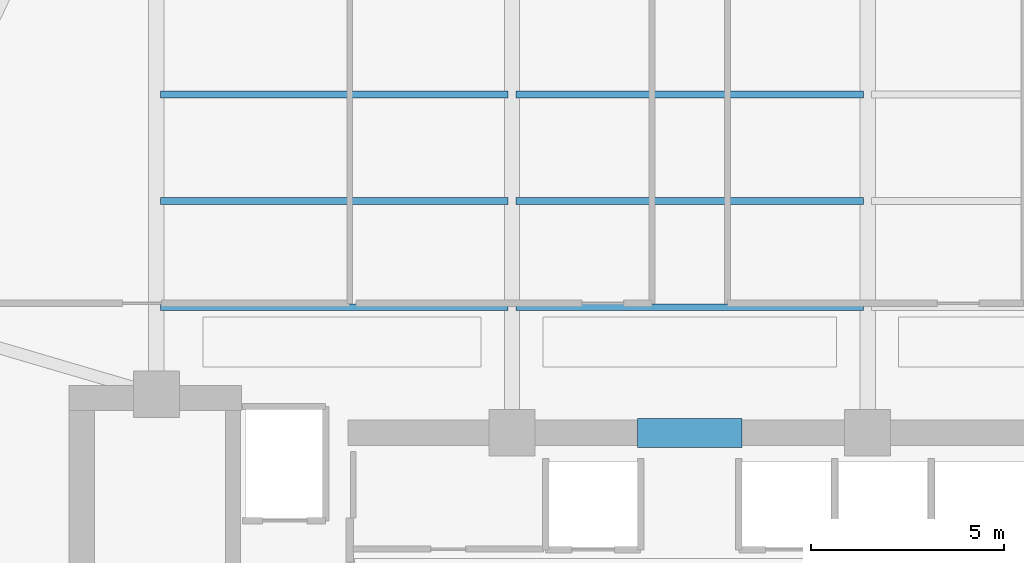
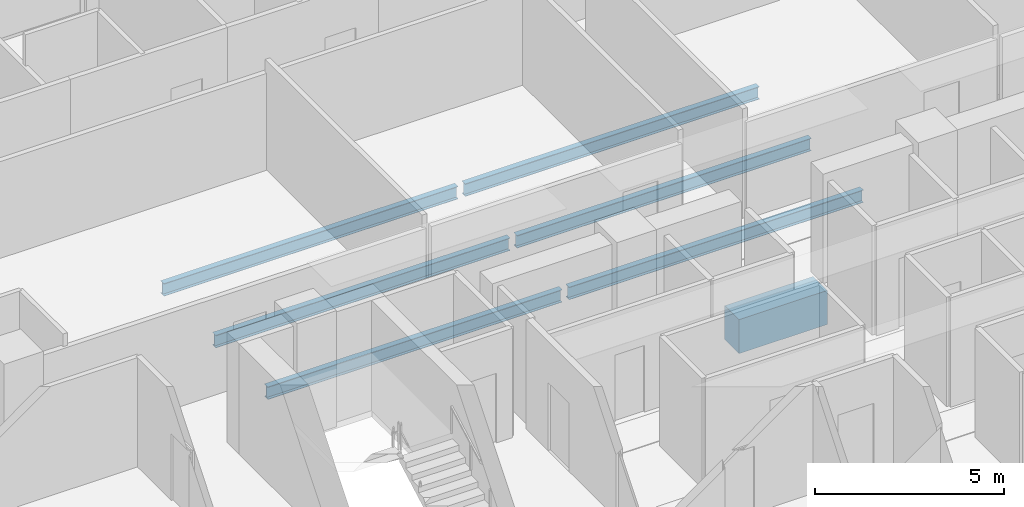
# One storey, part 8 of 33: 7 beams.
"""IFC4 building model written with IfcOpenShell, lengths in metres."""

import ifcopenshell
import ifcopenshell.guid

model = None  # the IFC model being written
_history = None  # IfcOwnerHistory: only IFC2X3 demands one
_inside = {}  # id of a spatial element -> (the spatial element, [elements in it])
_under = {}  # id of a project, library or spatial element -> (it, [spatial elements below it])
_declared = {}  # id of a project -> (the project, [libraries it declares])
_typed = {}  # id of a type object -> (the type object, [elements of that type])
_made_of = {}  # id of a material, layer set ... -> (it, [elements and type objects made of it])


def new_model(schema):
    """Start an empty IFC model of exactly this schema.

    Asked for "IFC4X3", IfcOpenShell would pick the latest addendum, in which some entities
    have other attributes; the version numbers below select the first issue.
    IFC2X3 requires an IfcOwnerHistory on every rooted entity: one is made here for all.
    """
    global model, _history
    if schema == "IFC4X3":
        model = ifcopenshell.file(schema_version=(4, 3, 0, 0))
    else:
        model = ifcopenshell.file(schema=schema)
    _inside.clear()
    _under.clear()
    _declared.clear()
    _typed.clear()
    _made_of.clear()
    _history = None
    if model.schema == "IFC2X3":
        org = make("IfcOrganization", Name="unknown")
        user = make(
            "IfcPersonAndOrganization",
            ThePerson=make("IfcPerson", FamilyName="unknown"),
            TheOrganization=org,
        )
        app = make(
            "IfcApplication",
            ApplicationDeveloper=org,
            Version="unknown",
            ApplicationFullName="unknown",
            ApplicationIdentifier="unknown",
        )
        _history = make(
            "IfcOwnerHistory",
            OwningUser=user,
            OwningApplication=app,
            ChangeAction="ADDED",
            CreationDate=0,
        )
    return model


def make(cls, **values):
    """One entity of the class cls with the attributes given. An attribute that is None is left unset."""
    return model.create_entity(
        cls, **{name: value for name, value in values.items() if value is not None}
    )


def rooted(cls, **values):
    """An entity with a GlobalId (a new one), such as an element, a storey or a relation."""
    return make(cls, GlobalId=ifcopenshell.guid.new(), OwnerHistory=_history, **values)


def si_unit(unit_type, name, prefix=None):
    """IfcSIUnit, for example si_unit("LENGTHUNIT", "METRE", prefix="MILLI")."""
    return make("IfcSIUnit", UnitType=unit_type, Prefix=prefix, Name=name)


def assignment(units):
    """IfcUnitAssignment: the units of a project."""
    return None if units is None else make("IfcUnitAssignment", Units=units)


def point(xyz):
    """IfcCartesianPoint."""
    return None if xyz is None else make("IfcCartesianPoint", Coordinates=xyz)


def direction(xyz):
    """IfcDirection."""
    return None if xyz is None else make("IfcDirection", DirectionRatios=xyz)


def frame(location, z_axis=None, x_axis=None):
    """IfcAxis2Placement3D, a coordinate frame: its origin and axes. An axis left out is left unset."""
    return make(
        "IfcAxis2Placement3D",
        Location=point(location),
        Axis=direction(z_axis),
        RefDirection=direction(x_axis),
    )


def frame_2d(location, x_axis=None):
    """IfcAxis2Placement2D, a coordinate frame in the plane: its origin and x axis."""
    return make(
        "IfcAxis2Placement2D", Location=point(location), RefDirection=direction(x_axis)
    )


def origin():
    """The frame at (0, 0, 0) with its axes left unset."""
    return frame((0.0, 0.0, 0.0))


def origin_2d():
    """The frame at (0, 0) in the plane with its x axis left unset."""
    return frame_2d((0.0, 0.0))


def place(relative_to, where):
    """IfcLocalPlacement: puts the frame where relative to a parent placement (None: the world)."""
    return make(
        "IfcLocalPlacement", PlacementRelTo=relative_to, RelativePlacement=where
    )


def context(
    kind, dimensions, precision=None, world=None, true_north=None, identifier=None
):
    """IfcGeometricRepresentationContext, for example the 3D "Model" context."""
    return make(
        "IfcGeometricRepresentationContext",
        ContextIdentifier=identifier,
        ContextType=kind,
        CoordinateSpaceDimension=dimensions,
        Precision=precision,
        WorldCoordinateSystem=world,
        TrueNorth=true_north,
    )


def subcontext(parent, identifier, kind, view, scale=None):
    """IfcGeometricRepresentationSubContext, for example "Body" below "Model"."""
    return make(
        "IfcGeometricRepresentationSubContext",
        ContextIdentifier=identifier,
        ContextType=kind,
        ParentContext=parent,
        TargetScale=scale,
        TargetView=view,
    )


def project(units=None, contexts=None):
    """IfcProject with its units and contexts."""
    return rooted(
        "IfcProject",
        Name="project",
        RepresentationContexts=contexts,
        UnitsInContext=assignment(units),
    )


def spatial(cls, under=None, at=None, **own):
    """A site, building, storey or space (cls), placed at a placement, below another one or the project."""
    s = rooted(cls, ObjectPlacement=at, **own)
    if under is not None:
        _under.setdefault(under.id(), (under, []))[1].append(s)
    return s


def profile(cls, at=None, kind="AREA", **sizes):
    """A parametric profile (cls). Its sizes go by their IFC names, for example OverallWidth=200.0."""
    return make(cls, ProfileType=kind, Position=at, **sizes)


def rectangle(**sizes):
    """IfcRectangleProfileDef."""
    return profile("IfcRectangleProfileDef", **sizes)


def i_section(**sizes):
    """IfcIShapeProfileDef."""
    return profile("IfcIShapeProfileDef", **sizes)


def extrude(swept, where, along, depth):
    """IfcExtrudedAreaSolid: the profile swept, set in the frame where, extruded along a direction by depth."""
    return make(
        "IfcExtrudedAreaSolid",
        SweptArea=swept,
        Position=where,
        ExtrudedDirection=direction(along),
        Depth=depth,
    )


def shape(context_of_items, identifier, shape_type, items):
    """IfcShapeRepresentation: the items that make up one representation, for example the "Body"."""
    return make(
        "IfcShapeRepresentation",
        ContextOfItems=context_of_items,
        RepresentationIdentifier=identifier,
        RepresentationType=shape_type,
        Items=items,
    )


def material(Name=None, Category=None):
    """IfcMaterial."""
    return make("IfcMaterial", Name=Name, Category=Category)


def material_profile(
    of_material, cross_section, Name=None, Category=None, Priority=None
):
    """IfcMaterialProfile: a cross section and its material."""
    return make(
        "IfcMaterialProfile",
        Name=Name,
        Material=of_material,
        Profile=cross_section,
        Priority=Priority,
        Category=Category,
    )


def profile_set(profiles, Name=None, composite=None):
    """IfcMaterialProfileSet."""
    return make(
        "IfcMaterialProfileSet",
        Name=Name,
        MaterialProfiles=profiles,
        CompositeProfile=composite,
    )


def made_of(thing, what):
    """Note that an element or type object is made of a material, layer set ...; save() writes the relation."""
    if what is not None:
        _made_of.setdefault(what.id(), (what, []))[1].append(thing)
    return thing


def type_object(cls, material=None, **own):
    """A type object (cls), such as IfcWallType, which elements share."""
    return made_of(rooted(cls, **own), material)


def element(
    cls,
    number,
    at=None,
    inside=None,
    cuts=None,
    type_object=None,
    material=None,
    context=None,
    identifier="Body",
    shape_type=None,
    held_by="IfcProductDefinitionShape",
    body=None,
    shapes=None,
    **own,
):
    """One element of the class cls, such as IfcWall. Its Tag is "e" and its number.

    at: its placement. inside: the storey or other place that contains it. cuts: it is an
    opening in that element (IfcRelVoidsElement). A single representation is given by context,
    identifier, shape_type and body (its items); several are given by shapes. held_by: the class
    of the entity that holds the representations. save() writes the other relations.
    """
    e = rooted(cls, Tag="e%d" % number, ObjectPlacement=at, **own)
    if body is not None:
        shapes = [shape(context, identifier, shape_type, body)]
    if shapes is not None:
        e.Representation = make(held_by, Representations=shapes)
    if inside is not None:
        _inside.setdefault(inside.id(), (inside, []))[1].append(e)
    if cuts is not None:
        rooted(
            "IfcRelVoidsElement", RelatingBuildingElement=cuts, RelatedOpeningElement=e
        )
    if type_object is not None:
        _typed.setdefault(type_object.id(), (type_object, []))[1].append(e)
    return made_of(e, material)


def aggregate(whole, parts):
    """IfcRelAggregates: a whole, such as a stair, and the parts it consists of."""
    return rooted("IfcRelAggregates", RelatingObject=whole, RelatedObjects=parts)


def save(model, path):
    """Write the relations noted so far, then the file.

    IfcRelAggregates (storeys below a building ...), IfcRelContainedInSpatialStructure (elements
    in a storey), IfcRelDefinesByType, IfcRelAssociatesMaterial and IfcRelDeclares: one each for
    every whole, place, type object, material and project.
    """
    for whole, parts in _under.values():
        aggregate(whole, parts)
    for where, things in _inside.values():
        rooted(
            "IfcRelContainedInSpatialStructure",
            RelatedElements=things,
            RelatingStructure=where,
        )
    for kind, things in _typed.values():
        rooted("IfcRelDefinesByType", RelatedObjects=things, RelatingType=kind)
    for what, things in _made_of.values():
        rooted("IfcRelAssociatesMaterial", RelatedObjects=things, RelatingMaterial=what)
    for by, libraries in _declared.values():
        rooted("IfcRelDeclares", RelatingContext=by, RelatedDefinitions=libraries)
    model.write(path)


model = new_model("IFC4")

# Units and contexts
model_context = context("Model", 3, precision=1e-05, world=origin(), true_north=direction((0.0, 1.0)))
body_context = subcontext(model_context, "Body", "Model", "MODEL_VIEW")
ifc_project = project(units=[si_unit("LENGTHUNIT", "METRE"), si_unit("AREAUNIT", "SQUARE_METRE"), si_unit("VOLUMEUNIT", "CUBIC_METRE"), si_unit("PLANEANGLEUNIT", "RADIAN"), si_unit("MASSUNIT", "GRAM", prefix="KILO")], contexts=[model_context])

# Site, building, storey
site_placement = place(None, origin())
site = spatial("IfcSite", under=ifc_project, at=site_placement, CompositionType="ELEMENT")
building_placement = place(site_placement, origin())
building = spatial("IfcBuilding", under=site, at=building_placement, Name="Zuhayl Quay Hotel", CompositionType="ELEMENT")
storey_placement = place(building_placement, frame((0.0, 0.0, 222.39990234375)))
storey = spatial("IfcBuildingStorey", under=building, at=storey_placement, Name="L56", CompositionType="ELEMENT", Elevation=222.39990234375)

# Beams
ifc_material_1 = material(Name="Concrete C60/75", Category="concrete")
ifc_material_profile_1 = material_profile(ifc_material_1, rectangle(XDim=0.75, YDim=1.10009765625, at=origin_2d()), Name="RC750X1100")
ifc_profile_set_1 = profile_set([ifc_material_profile_1], Name="Concrete C60/75")
beam_type_1 = type_object("IfcBeamType", Name="BM_CB2_RC750", PredefinedType="T_BEAM", material=ifc_profile_set_1)
beam_1_placement = place(storey_placement, frame((-1.35009765625, 13.35009765625, -0.77001953125), z_axis=(1.0, 0.0, 0.0), x_axis=(0.0, 1.0, 0.0)))
element("IfcBeam", 1, at=beam_1_placement, inside=storey, type_object=beam_type_1, Name="L56 Core Coupling Beam North", PredefinedType="T_BEAM", context=body_context, shape_type="SweptSolid", body=[
    extrude(rectangle(XDim=0.75, YDim=1.10009765625, at=origin_2d()), origin(), (0.0, 0.0, 1.0), 2.7001953125),
])
ifc_material_2 = material(Name="Steel ASTM A992 Grade 50", Category="steel")
ifc_material_profile_2 = material_profile(ifc_material_2, i_section(OverallWidth=0.177978515625, OverallDepth=0.406005859375, WebThickness=0.0078125, FlangeThickness=0.0126953125, at=origin_2d()), Name="W16X40")
ifc_profile_set_2 = profile_set([ifc_material_profile_2], Name="Steel ASTM A992 Grade 50")
beam_type_2 = type_object("IfcBeamType", Name="BM_J2B_W16X40", PredefinedType="JOIST", material=ifc_profile_set_2)
beam_2_placement = place(storey_placement, frame((-13.694091796875, 16.60009765625, -0.4228515625), z_axis=(1.0, 0.0, 0.0), x_axis=(0.0, 1.0, 0.0)))
element("IfcBeam", 2, at=beam_2_placement, inside=storey, type_object=beam_type_2, Name="L56 Floor Beam FJ_L56_1_1", PredefinedType="JOIST", context=body_context, shape_type="SweptSolid", body=[
    extrude(i_section(OverallWidth=0.177978515625, OverallDepth=0.406005859375, WebThickness=0.0078125, FlangeThickness=0.0126953125, at=origin_2d()), origin(), (0.0, 0.0, 1.0), 8.988037109375),
])
beam_3_placement = place(storey_placement, frame((-4.493896484375, 16.60009765625, -0.4228515625), z_axis=(1.0, 0.0, 0.0), x_axis=(0.0, 1.0, 0.0)))
element("IfcBeam", 3, at=beam_3_placement, inside=storey, type_object=beam_type_2, Name="L56 Floor Beam FJ_L56_1_2", PredefinedType="JOIST", context=body_context, shape_type="SweptSolid", body=[
    extrude(i_section(OverallWidth=0.177978515625, OverallDepth=0.406005859375, WebThickness=0.0078125, FlangeThickness=0.0126953125, at=origin_2d()), origin(), (0.0, 0.0, 1.0), 8.98779296875),
])
beam_4_placement = place(storey_placement, frame((-13.694091796875, 19.35009765625, -0.4228515625), z_axis=(1.0, 0.0, 0.0), x_axis=(0.0, 1.0, 0.0)))
element("IfcBeam", 4, at=beam_4_placement, inside=storey, type_object=beam_type_2, Name="L56 Floor Beam FJ_L56_2_1", PredefinedType="JOIST", context=body_context, shape_type="SweptSolid", body=[
    extrude(i_section(OverallWidth=0.177978515625, OverallDepth=0.406005859375, WebThickness=0.0078125, FlangeThickness=0.0126953125, at=origin_2d()), origin(), (0.0, 0.0, 1.0), 8.988037109375),
])
beam_5_placement = place(storey_placement, frame((-4.493896484375, 19.35009765625, -0.4228515625), z_axis=(1.0, 0.0, 0.0), x_axis=(0.0, 1.0, 0.0)))
element("IfcBeam", 5, at=beam_5_placement, inside=storey, type_object=beam_type_2, Name="L56 Floor Beam FJ_L56_2_2", PredefinedType="JOIST", context=body_context, shape_type="SweptSolid", body=[
    extrude(i_section(OverallWidth=0.177978515625, OverallDepth=0.406005859375, WebThickness=0.0078125, FlangeThickness=0.0126953125, at=origin_2d()), origin(), (0.0, 0.0, 1.0), 8.98779296875),
])
beam_6_placement = place(storey_placement, frame((-13.694091796875, 22.10009765625, -0.4228515625), z_axis=(1.0, 0.0, 0.0), x_axis=(0.0, 1.0, 0.0)))
element("IfcBeam", 6, at=beam_6_placement, inside=storey, type_object=beam_type_2, Name="L56 Floor Beam FJ_L56_3_1", PredefinedType="JOIST", context=body_context, shape_type="SweptSolid", body=[
    extrude(i_section(OverallWidth=0.177978515625, OverallDepth=0.406005859375, WebThickness=0.0078125, FlangeThickness=0.0126953125, at=origin_2d()), origin(), (0.0, 0.0, 1.0), 8.988037109375),
])
beam_7_placement = place(storey_placement, frame((-4.493896484375, 22.10009765625, -0.4228515625), z_axis=(1.0, 0.0, 0.0), x_axis=(0.0, 1.0, 0.0)))
element("IfcBeam", 7, at=beam_7_placement, inside=storey, type_object=beam_type_2, Name="L56 Floor Beam FJ_L56_3_2", PredefinedType="JOIST", context=body_context, shape_type="SweptSolid", body=[
    extrude(i_section(OverallWidth=0.177978515625, OverallDepth=0.406005859375, WebThickness=0.0078125, FlangeThickness=0.0126953125, at=origin_2d()), origin(), (0.0, 0.0, 1.0), 8.98779296875),
])

save(model, "model.ifc")
